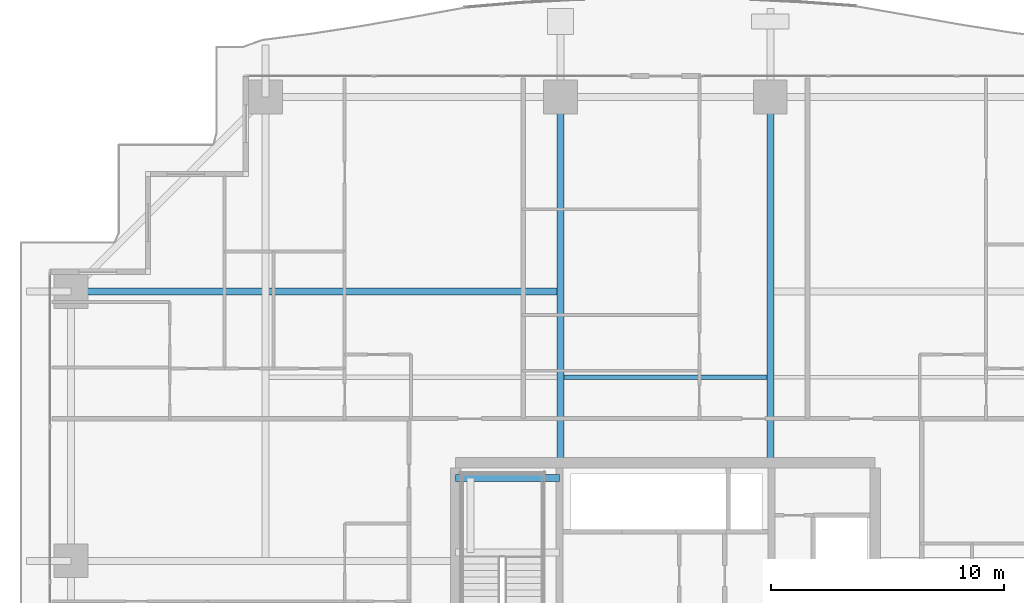
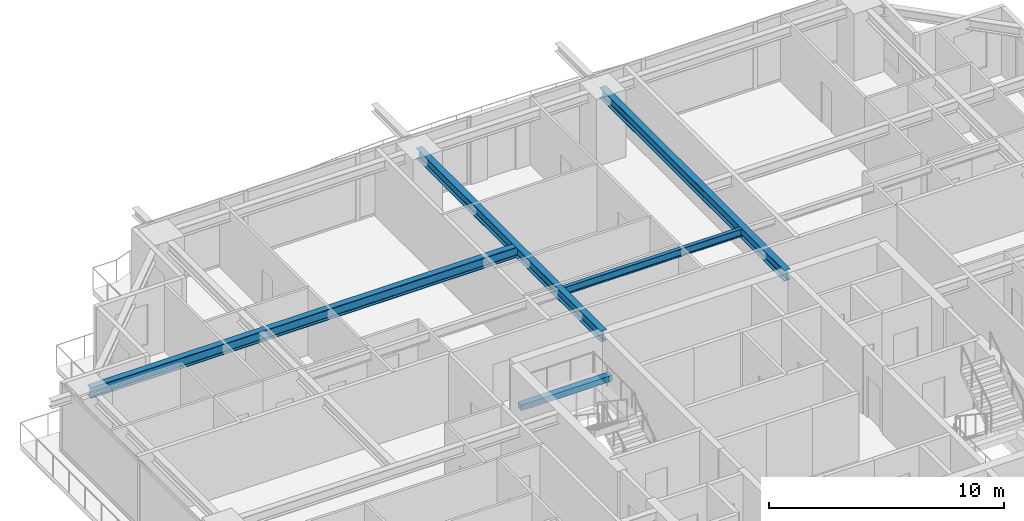
# One storey, part 19 of 37: 5 beams.
"""IFC4 building model written with IfcOpenShell, lengths in metres."""

from ifc_helpers import new_model, si_unit, direction, frame, origin, origin_2d, place, context, subcontext, project, spatial, rectangle, i_section, extrude, source, transform, mapped, material, material_profile, profile_set, type_object, element, save


model = new_model("IFC4")

# Units and contexts
model_context = context("Model", 3, precision=1e-05, world=origin(), true_north=direction((0.0, 1.0)))
body_context = subcontext(model_context, "Body", "Model", "MODEL_VIEW")
ifc_project = project(units=[si_unit("LENGTHUNIT", "METRE"), si_unit("AREAUNIT", "SQUARE_METRE"), si_unit("VOLUMEUNIT", "CUBIC_METRE"), si_unit("PLANEANGLEUNIT", "RADIAN"), si_unit("MASSUNIT", "GRAM", prefix="KILO")], contexts=[model_context])

# Site, building, storey
site_placement = place(None, origin())
site = spatial("IfcSite", under=ifc_project, at=site_placement, CompositionType="ELEMENT")
building_placement = place(site_placement, origin())
building = spatial("IfcBuilding", under=site, at=building_placement, Name="Serunith Strait Residences", CompositionType="ELEMENT")
storey_placement = place(building_placement, frame((0.0, 0.0, 26.699951171875)))
storey = spatial("IfcBuildingStorey", under=building, at=storey_placement, Name="L05", CompositionType="ELEMENT", Elevation=26.699951171875)

# Beams
ifc_material_1 = material(Name="Steel S355J2", Category="steel")
ifc_material_profile_1 = material_profile(ifc_material_1, i_section(OverallWidth=0.300048828125, OverallDepth=0.550048828125, WebThickness=0.014892578125, FlangeThickness=0.029052734375, FilletRadius=0.027099609375, at=origin_2d()), Name="HEB 550")
ifc_profile_set_1 = profile_set([ifc_material_profile_1], Name="Steel S355J2")
beam_type_1 = type_object("IfcBeamType", Name="BM-HEB550", PredefinedType="BEAM", material=ifc_profile_set_1)
shared_shape_1 = source(origin(), body_context, "Body", "SweptSolid", [
    extrude(i_section(OverallWidth=0.300048828125, OverallDepth=0.550048828125, WebThickness=0.014892578125, FlangeThickness=0.029052734375, FilletRadius=0.027099609375, at=origin_2d()), origin(), (0.0, 0.0, 1.0), 15.699951171875),
])
for number, where, z_axis, x_axis, name in (
    (1, (27.89990234375, 33.60009765625, 3.212158203125), (0.0, 1.0, 0.0), (-1.0, 0.0, 0.0), "L05 Primary Floor Girder TC-N2"),
    (2, (36.89990234375, 33.60009765625, 3.212158203125), (0.0, 1.0, 0.0), (-1.0, 0.0, 0.0), "L05 Primary Floor Girder TC-N3"),
):
    element("IfcBeam", number, at=place(storey_placement, frame(where, z_axis=z_axis, x_axis=x_axis)), inside=storey, type_object=beam_type_1, Name=name, PredefinedType="BEAM", context=body_context, shape_type="MappedRepresentation", body=[
        mapped(shared_shape_1, transform((0.0, 0.0, 0.0), scale=1.0)),
    ])
shared_shape_2 = source(origin(), body_context, "Body", "SweptSolid", [
    extrude(i_section(OverallWidth=0.300048828125, OverallDepth=0.550048828125, WebThickness=0.014892578125, FlangeThickness=0.029052734375, FilletRadius=0.027099609375, at=origin_2d()), origin(), (0.0, 0.0, 1.0), 21.0),
])
beam_1_placement = place(storey_placement, frame((27.89990234375, 40.949951171875, 3.212158203125), z_axis=(-1.0, 0.0, 0.0), x_axis=(0.0, -1.0, 0.0)))
element("IfcBeam", 3, at=beam_1_placement, inside=storey, type_object=beam_type_1, Name="L05 Orthogonal Corner Girder TC-W4", PredefinedType="BEAM", context=body_context, shape_type="MappedRepresentation", body=[
    mapped(shared_shape_2, transform((0.0, 0.0, 0.0), scale=1.0)),
])
ifc_material_profile_2 = material_profile(ifc_material_1, i_section(OverallWidth=0.179931640625, OverallDepth=0.39990234375, WebThickness=0.008544921875, FlangeThickness=0.013427734375, FilletRadius=0.02099609375, at=origin_2d()), Name="IPE 400")
ifc_profile_set_2 = profile_set([ifc_material_profile_2], Name="Steel S355J2")
beam_type_2 = type_object("IfcBeamType", Name="BM-IPE400", PredefinedType="JOIST", material=ifc_profile_set_2)
shared_shape_3 = source(origin(), body_context, "Body", "SweptSolid", [
    extrude(i_section(OverallWidth=0.179931640625, OverallDepth=0.39990234375, WebThickness=0.008544921875, FlangeThickness=0.013427734375, FilletRadius=0.02099609375, at=origin_2d()), origin(), (0.0, 0.0, 1.0), 8.699951171875),
])
beam_2_placement = place(storey_placement, frame((28.050048828125, 37.27490234375, 3.287109375), z_axis=(1.0, 0.0, 0.0), x_axis=(0.0, 1.0, 0.0)))
element("IfcBeam", 4, at=beam_2_placement, inside=storey, type_object=beam_type_2, Name="L05 Composite Floor Joist 05", PredefinedType="JOIST", context=body_context, shape_type="MappedRepresentation", body=[
    mapped(shared_shape_3, transform((0.0, 0.0, 0.0), scale=1.0)),
])
ifc_material_2 = material(Name="Concrete C60/75", Category="concrete")
ifc_material_profile_3 = material_profile(ifc_material_2, rectangle(XDim=0.300048828125, YDim=0.300048828125, at=origin_2d()), Name="RC 300x300")
ifc_profile_set_3 = profile_set([ifc_material_profile_3], Name="Concrete C60/75")
beam_type_3 = type_object("IfcBeamType", Name="BM-LAND-300x300", PredefinedType="BEAM", material=ifc_profile_set_3)
shared_shape_4 = source(origin(), body_context, "Body", "SweptSolid", [
    extrude(rectangle(XDim=0.300048828125, YDim=0.300048828125, at=origin_2d()), origin(), (0.0, 0.0, 1.0), 4.4501953125),
])
beam_3_placement = place(storey_placement, frame((23.39990234375, 32.949951171875, 1.525146484375), z_axis=(1.0, 0.0, 0.0), x_axis=(0.0, 1.0, 0.0)))
element("IfcBeam", 5, at=beam_3_placement, inside=storey, type_object=beam_type_3, Name="L05 ST-1 Landing Support Beam 2", PredefinedType="BEAM", context=body_context, shape_type="MappedRepresentation", body=[
    mapped(shared_shape_4, transform((0.0, 0.0, 0.0), scale=1.0)),
])

save(model, "model.ifc")
